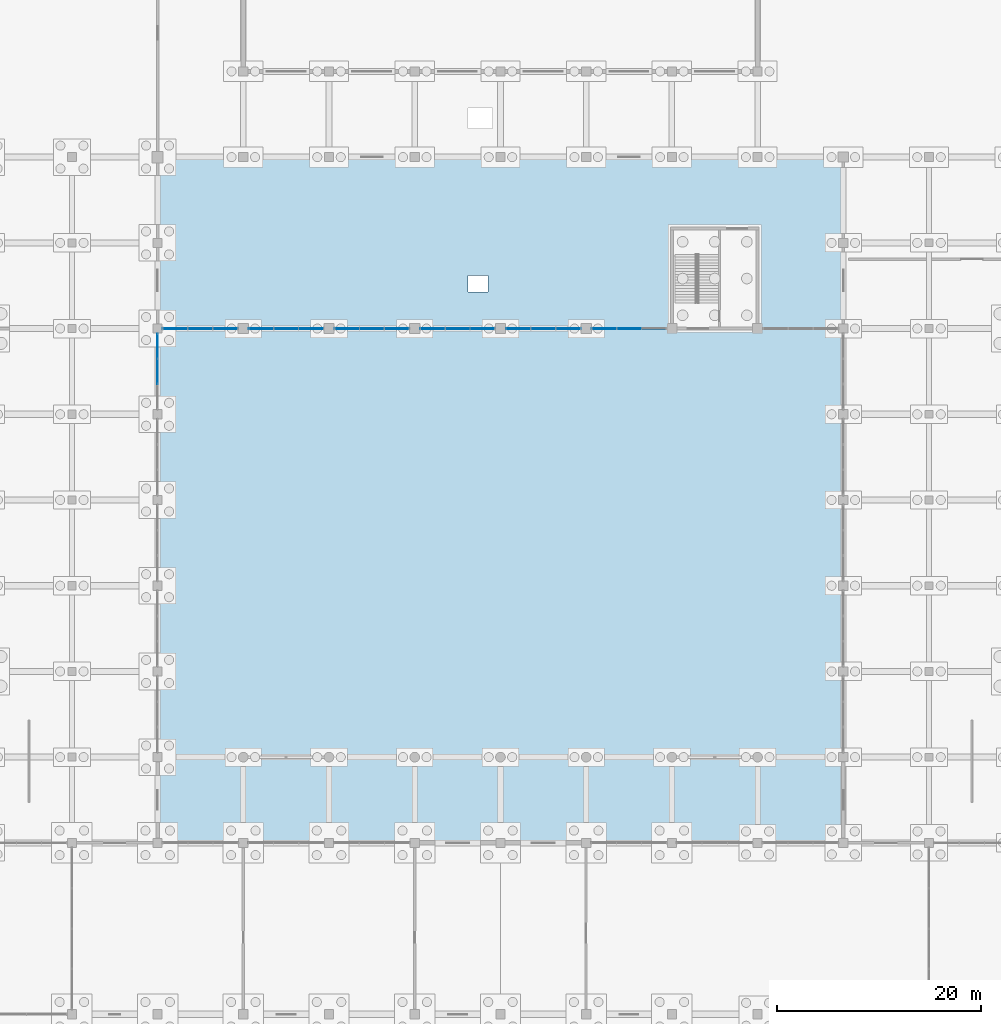
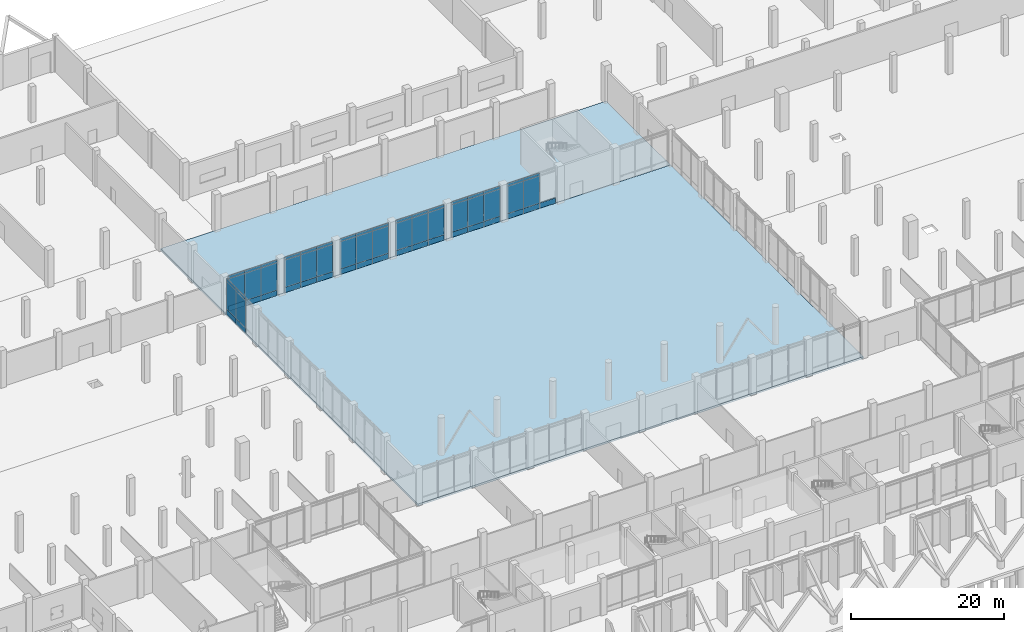
# One storey, part 44 of 72: 58 plates, 2 slabs, 7 elements without a shape of their own.
"""IFC4 building model written with IfcOpenShell, lengths in metres."""

from ifc_helpers import new_model, si_unit, direction, frame, frame_2d, origin, place, context, subcontext, project, spatial, polyline, rectangle, outline, extrude, material, layer, layer_set, type_object, element, aggregate, save


model = new_model("IFC4")

# Units and contexts
model_context = context("Model", 3, precision=1e-05, world=origin(), true_north=direction((0.0, 1.0)))
body_context = subcontext(model_context, "Body", "Model", "MODEL_VIEW")
ifc_project = project(units=[si_unit("LENGTHUNIT", "METRE"), si_unit("AREAUNIT", "SQUARE_METRE"), si_unit("VOLUMEUNIT", "CUBIC_METRE"), si_unit("PLANEANGLEUNIT", "RADIAN"), si_unit("MASSUNIT", "GRAM", prefix="KILO")], contexts=[model_context])

# Site, building, storey
site_placement = place(None, origin())
site = spatial("IfcSite", under=ifc_project, at=site_placement, CompositionType="ELEMENT")
building_placement = place(site_placement, origin())
building = spatial("IfcBuilding", under=site, at=building_placement, Name="Qawsi Khor Wholesale Market", CompositionType="ELEMENT")
storey_placement = place(building_placement, origin())
storey = spatial("IfcBuildingStorey", under=building, at=storey_placement, Name="L00", CompositionType="ELEMENT", Elevation=0.0)

# Slabs
ifc_material_1 = material(Name="Concrete C45/55", Category="concrete")
ifc_layer_1 = layer(ifc_material_1, 0.31005859375, Name="Concrete C45/55")
ifc_layer_set_1 = layer_set([ifc_layer_1], Name="Concrete C45/55")
slab_type_1 = type_object("IfcSlabType", Name="Arcade & Forecourt Structural Deck 310 C45/55", PredefinedType="BASESLAB", material=ifc_layer_set_1)
slab_1_placement = place(storey_placement, frame((0.0, 0.0, -0.31005859375)))
element("IfcSlab", 1, at=slab_1_placement, inside=storey, type_object=slab_type_1, Name="SLB-L00-COURT", PredefinedType="BASESLAB", context=body_context, shape_type="SweptSolid", body=[
    extrude(outline(polyline([(75.60009765625, 42.0), (142.800048828125, 42.0), (142.800048828125, 92.39990234375), (75.60009765625, 92.39990234375), (75.60009765625, 42.0)])), origin(), (0.0, 0.0, 1.0), 0.31005859375),
])
ifc_layer_2 = layer(ifc_material_1, 0.360107421875, Name="Concrete C45/55")
ifc_layer_set_2 = layer_set([ifc_layer_2], Name="Concrete C45/55")
slab_type_2 = type_object("IfcSlabType", Name="Ground-Bearing Slab 360 C45/55", PredefinedType="BASESLAB", material=ifc_layer_set_2)
slab_2_placement = place(storey_placement, frame((0.0, 0.0, -0.360107421875)))
element("IfcSlab", 2, at=slab_2_placement, inside=storey, type_object=slab_type_2, Name="SLB-L00-AUC-MAIN", PredefinedType="BASESLAB", context=body_context, shape_type="SweptSolid", body=[
    extrude(outline(polyline([(75.60009765625, 109.199951171875), (142.800048828125, 109.199951171875), (142.800048828125, 92.39990234375), (75.60009765625, 92.39990234375), (75.60009765625, 109.199951171875)]), holes=[polyline([(108.0, 96.0), (108.0, 97.60009765625), (106.0, 97.60009765625), (106.0, 96.0), (108.0, 96.0)])]), origin(), (0.0, 0.0, 1.0), 0.360107421875),
])

# Curtain wall, plates
ifc_material_2 = material(Name="Aluminium Anodised Bronze", Category="aluminium")
ifc_layer_3 = layer(ifc_material_2, 0.199951171875, Name="Aluminium Anodised Bronze")
ifc_layer_set_3 = layer_set([ifc_layer_3], Name="Aluminium Anodised Bronze")
curtain_wall_type_1 = type_object("IfcCurtainWallType", Name="Trading Hall North-Light Curtain Wall CW-03", PredefinedType="NOTDEFINED", material=ifc_layer_set_3)
curtain_wall_1_placement = place(storey_placement, origin())
curtain_wall_1 = element("IfcCurtainWall", 3, at=curtain_wall_1_placement, inside=storey, type_object=curtain_wall_type_1, Name="Curtain wall CW-CW-03-L00-092", PredefinedType="NOTDEFINED")
ifc_material_3 = material(Name="Anodised Aluminium Spandrel", Category="aluminium")
ifc_layer_4 = layer(ifc_material_3, 0.074951171875, Name="Anodised Aluminium Spandrel")
ifc_layer_set_4 = layer_set([ifc_layer_4], Name="Anodised Aluminium Spandrel")
plate_type_1 = type_object("IfcPlateType", Name="Insulated Spandrel Panel CW-03 75mm", PredefinedType="CURTAIN_PANEL", material=ifc_layer_set_4)
plate_1_placement = place(storey_placement, frame((75.60009765625, 86.9658203125, 0.0048828125), z_axis=(0.0, 0.0, 1.0), x_axis=(0.0, 1.0, 0.0)))
plate_1 = element("IfcPlate", 4, at=plate_1_placement, type_object=plate_type_1, Name="Curtain panel CW-CW-03-L00-092-P0_01", PredefinedType="CURTAIN_PANEL", context=body_context, shape_type="SweptSolid", body=[
    extrude(rectangle(XDim=2.46826171875, YDim=0.074951171875, at=frame_2d((1.234130859375, 0.0))), origin(), (0.0, 0.0, 1.0), 0.840087890625),
])
plate_2_placement = place(storey_placement, frame((75.60009765625, 89.43408203125, 0.0048828125), z_axis=(0.0, 0.0, 1.0), x_axis=(0.0, 1.0, 0.0)))
plate_2 = element("IfcPlate", 5, at=plate_2_placement, type_object=plate_type_1, Name="Curtain panel CW-CW-03-L00-092-P0_02", PredefinedType="CURTAIN_PANEL", context=body_context, shape_type="SweptSolid", body=[
    extrude(rectangle(XDim=2.468505859375, YDim=0.074951171875, at=frame_2d((1.234375, 0.0))), origin(), (0.0, 0.0, 1.0), 0.840087890625),
])

ifc_layer_5 = layer(ifc_material_2, 0.219970703125, Name="Aluminium Anodised Bronze")
ifc_layer_set_5 = layer_set([ifc_layer_5], Name="Aluminium Anodised Bronze")
curtain_wall_type_2 = type_object("IfcCurtainWallType", Name="Auction Clerestory Curtain Wall CW-04", PredefinedType="NOTDEFINED", material=ifc_layer_set_5)
curtain_wall_2_placement = place(storey_placement, origin())
curtain_wall_2 = element("IfcCurtainWall", 6, at=curtain_wall_2_placement, inside=storey, type_object=curtain_wall_type_2, Name="Curtain wall CW-CW-04-L00-097", PredefinedType="NOTDEFINED")
ifc_layer_6 = layer(ifc_material_3, 0.0849609375, Name="Anodised Aluminium Spandrel")
ifc_layer_set_6 = layer_set([ifc_layer_6], Name="Anodised Aluminium Spandrel")
plate_type_2 = type_object("IfcPlateType", Name="Insulated Spandrel Panel CW-04 85mm", PredefinedType="CURTAIN_PANEL", material=ifc_layer_set_6)
plate_3_placement = place(storey_placement, frame((76.10009765625, 92.39990234375, 0.0048828125), z_axis=(0.0, 0.0, 1.0), x_axis=(1.0, 0.0, 0.0)))
plate_3 = element("IfcPlate", 7, at=plate_3_placement, type_object=plate_type_2, Name="Curtain panel CW-CW-04-L00-097-P0_00", PredefinedType="CURTAIN_PANEL", context=body_context, shape_type="SweptSolid", body=[
    extrude(rectangle(XDim=2.449951171875, YDim=0.0849609375, at=frame_2d((1.22509765625, 0.0))), origin(), (0.0, 0.0, 1.0), 0.840087890625),
])
plate_4_placement = place(storey_placement, frame((78.550048828125, 92.39990234375, 0.0048828125), z_axis=(0.0, 0.0, 1.0), x_axis=(1.0, 0.0, 0.0)))
plate_4 = element("IfcPlate", 8, at=plate_4_placement, type_object=plate_type_2, Name="Curtain panel CW-CW-04-L00-097-P0_01", PredefinedType="CURTAIN_PANEL", context=body_context, shape_type="SweptSolid", body=[
    extrude(rectangle(XDim=2.449951171875, YDim=0.0849609375, at=frame_2d((1.22509765625, 0.0))), origin(), (0.0, 0.0, 1.0), 0.840087890625),
])
plate_5_placement = place(storey_placement, frame((81.0, 92.39990234375, 0.0048828125), z_axis=(0.0, 0.0, 1.0), x_axis=(1.0, 0.0, 0.0)))
plate_5 = element("IfcPlate", 9, at=plate_5_placement, type_object=plate_type_2, Name="Curtain panel CW-CW-04-L00-097-P0_02", PredefinedType="CURTAIN_PANEL", context=body_context, shape_type="SweptSolid", body=[
    extrude(rectangle(XDim=2.449951171875, YDim=0.0849609375, at=frame_2d((1.22509765625, 0.0))), origin(), (0.0, 0.0, 1.0), 0.840087890625),
])

curtain_wall_3_placement = place(storey_placement, origin())
curtain_wall_3 = element("IfcCurtainWall", 10, at=curtain_wall_3_placement, inside=storey, type_object=curtain_wall_type_2, Name="Curtain wall CW-CW-04-L00-099", PredefinedType="NOTDEFINED")
plate_6_placement = place(storey_placement, frame((84.550048828125, 92.39990234375, 0.0048828125), z_axis=(0.0, 0.0, 1.0), x_axis=(1.0, 0.0, 0.0)))
plate_6 = element("IfcPlate", 11, at=plate_6_placement, type_object=plate_type_2, Name="Curtain panel CW-CW-04-L00-099-P0_00", PredefinedType="CURTAIN_PANEL", context=body_context, shape_type="SweptSolid", body=[
    extrude(rectangle(XDim=2.433349609375, YDim=0.0849609375, at=frame_2d((1.216796875, 0.0))), origin(), (0.0, 0.0, 1.0), 0.840087890625),
])
plate_7_placement = place(storey_placement, frame((86.9833984375, 92.39990234375, 0.0048828125), z_axis=(0.0, 0.0, 1.0), x_axis=(1.0, 0.0, 0.0)))
plate_7 = element("IfcPlate", 12, at=plate_7_placement, type_object=plate_type_2, Name="Curtain panel CW-CW-04-L00-099-P0_01", PredefinedType="CURTAIN_PANEL", context=body_context, shape_type="SweptSolid", body=[
    extrude(rectangle(XDim=2.433349609375, YDim=0.0849609375, at=frame_2d((1.216796875, 0.0))), origin(), (0.0, 0.0, 1.0), 0.840087890625),
])
plate_8_placement = place(storey_placement, frame((89.416748046875, 92.39990234375, 0.0048828125), z_axis=(0.0, 0.0, 1.0), x_axis=(1.0, 0.0, 0.0)))
plate_8 = element("IfcPlate", 13, at=plate_8_placement, type_object=plate_type_2, Name="Curtain panel CW-CW-04-L00-099-P0_02", PredefinedType="CURTAIN_PANEL", context=body_context, shape_type="SweptSolid", body=[
    extrude(rectangle(XDim=2.433349609375, YDim=0.0849609375, at=frame_2d((1.216796875, 0.0))), origin(), (0.0, 0.0, 1.0), 0.840087890625),
])

curtain_wall_4_placement = place(storey_placement, origin())
curtain_wall_4 = element("IfcCurtainWall", 14, at=curtain_wall_4_placement, inside=storey, type_object=curtain_wall_type_2, Name="Curtain wall CW-CW-04-L00-102", PredefinedType="NOTDEFINED")
plate_9_placement = place(storey_placement, frame((92.949951171875, 92.39990234375, 0.0048828125), z_axis=(0.0, 0.0, 1.0), x_axis=(1.0, 0.0, 0.0)))
plate_9 = element("IfcPlate", 15, at=plate_9_placement, type_object=plate_type_2, Name="Curtain panel CW-CW-04-L00-102-P0_00", PredefinedType="CURTAIN_PANEL", context=body_context, shape_type="SweptSolid", body=[
    extrude(rectangle(XDim=2.433349609375, YDim=0.0849609375, at=frame_2d((1.216796875, 0.0))), origin(), (0.0, 0.0, 1.0), 0.840087890625),
])
plate_10_placement = place(storey_placement, frame((95.38330078125, 92.39990234375, 0.0048828125), z_axis=(0.0, 0.0, 1.0), x_axis=(1.0, 0.0, 0.0)))
plate_10 = element("IfcPlate", 16, at=plate_10_placement, type_object=plate_type_2, Name="Curtain panel CW-CW-04-L00-102-P0_01", PredefinedType="CURTAIN_PANEL", context=body_context, shape_type="SweptSolid", body=[
    extrude(rectangle(XDim=2.433349609375, YDim=0.0849609375, at=frame_2d((1.216796875, 0.0))), origin(), (0.0, 0.0, 1.0), 0.840087890625),
])
plate_11_placement = place(storey_placement, frame((97.816650390625, 92.39990234375, 0.0048828125), z_axis=(0.0, 0.0, 1.0), x_axis=(1.0, 0.0, 0.0)))
plate_11 = element("IfcPlate", 17, at=plate_11_placement, type_object=plate_type_2, Name="Curtain panel CW-CW-04-L00-102-P0_02", PredefinedType="CURTAIN_PANEL", context=body_context, shape_type="SweptSolid", body=[
    extrude(rectangle(XDim=2.433349609375, YDim=0.0849609375, at=frame_2d((1.216796875, 0.0))), origin(), (0.0, 0.0, 1.0), 0.840087890625),
])

curtain_wall_5_placement = place(storey_placement, origin())
curtain_wall_5 = element("IfcCurtainWall", 18, at=curtain_wall_5_placement, inside=storey, type_object=curtain_wall_type_2, Name="Curtain wall CW-CW-04-L00-105", PredefinedType="NOTDEFINED")
plate_12_placement = place(storey_placement, frame((101.35009765625, 92.39990234375, 0.0048828125), z_axis=(0.0, 0.0, 1.0), x_axis=(1.0, 0.0, 0.0)))
plate_12 = element("IfcPlate", 19, at=plate_12_placement, type_object=plate_type_2, Name="Curtain panel CW-CW-04-L00-105-P0_00", PredefinedType="CURTAIN_PANEL", context=body_context, shape_type="SweptSolid", body=[
    extrude(rectangle(XDim=2.43310546875, YDim=0.0849609375, at=frame_2d((1.216552734375, 0.0))), origin(), (0.0, 0.0, 1.0), 0.840087890625),
])
plate_13_placement = place(storey_placement, frame((103.783203125, 92.39990234375, 0.0048828125), z_axis=(0.0, 0.0, 1.0), x_axis=(1.0, 0.0, 0.0)))
plate_13 = element("IfcPlate", 20, at=plate_13_placement, type_object=plate_type_2, Name="Curtain panel CW-CW-04-L00-105-P0_01", PredefinedType="CURTAIN_PANEL", context=body_context, shape_type="SweptSolid", body=[
    extrude(rectangle(XDim=2.43359375, YDim=0.0849609375, at=frame_2d((1.216796875, 0.0))), origin(), (0.0, 0.0, 1.0), 0.840087890625),
])
plate_14_placement = place(storey_placement, frame((106.216796875, 92.39990234375, 0.0048828125), z_axis=(0.0, 0.0, 1.0), x_axis=(1.0, 0.0, 0.0)))
plate_14 = element("IfcPlate", 21, at=plate_14_placement, type_object=plate_type_2, Name="Curtain panel CW-CW-04-L00-105-P0_02", PredefinedType="CURTAIN_PANEL", context=body_context, shape_type="SweptSolid", body=[
    extrude(rectangle(XDim=2.43310546875, YDim=0.0849609375, at=frame_2d((1.216552734375, 0.0))), origin(), (0.0, 0.0, 1.0), 0.840087890625),
])

curtain_wall_6_placement = place(storey_placement, origin())
curtain_wall_6 = element("IfcCurtainWall", 22, at=curtain_wall_6_placement, inside=storey, type_object=curtain_wall_type_2, Name="Curtain wall CW-CW-04-L00-108", PredefinedType="NOTDEFINED")
plate_15_placement = place(storey_placement, frame((109.75, 92.39990234375, 0.0048828125), z_axis=(0.0, 0.0, 1.0), x_axis=(1.0, 0.0, 0.0)))
plate_15 = element("IfcPlate", 23, at=plate_15_placement, type_object=plate_type_2, Name="Curtain panel CW-CW-04-L00-108-P0_00", PredefinedType="CURTAIN_PANEL", context=body_context, shape_type="SweptSolid", body=[
    extrude(rectangle(XDim=2.433349609375, YDim=0.0849609375, at=frame_2d((1.216796875, 0.0))), origin(), (0.0, 0.0, 1.0), 0.840087890625),
])
plate_16_placement = place(storey_placement, frame((112.183349609375, 92.39990234375, 0.0048828125), z_axis=(0.0, 0.0, 1.0), x_axis=(1.0, 0.0, 0.0)))
plate_16 = element("IfcPlate", 24, at=plate_16_placement, type_object=plate_type_2, Name="Curtain panel CW-CW-04-L00-108-P0_01", PredefinedType="CURTAIN_PANEL", context=body_context, shape_type="SweptSolid", body=[
    extrude(rectangle(XDim=2.433349609375, YDim=0.0849609375, at=frame_2d((1.216796875, 0.0))), origin(), (0.0, 0.0, 1.0), 0.840087890625),
])
plate_17_placement = place(storey_placement, frame((114.61669921875, 92.39990234375, 0.0048828125), z_axis=(0.0, 0.0, 1.0), x_axis=(1.0, 0.0, 0.0)))
plate_17 = element("IfcPlate", 25, at=plate_17_placement, type_object=plate_type_2, Name="Curtain panel CW-CW-04-L00-108-P0_02", PredefinedType="CURTAIN_PANEL", context=body_context, shape_type="SweptSolid", body=[
    extrude(rectangle(XDim=2.433349609375, YDim=0.0849609375, at=frame_2d((1.216796875, 0.0))), origin(), (0.0, 0.0, 1.0), 0.840087890625),
])

curtain_wall_7_placement = place(storey_placement, origin())
curtain_wall_7 = element("IfcCurtainWall", 26, at=curtain_wall_7_placement, inside=storey, type_object=curtain_wall_type_2, Name="Curtain wall CW-CW-04-L00-111", PredefinedType="NOTDEFINED")
plate_18_placement = place(storey_placement, frame((118.14990234375, 92.39990234375, 0.0048828125), z_axis=(0.0, 0.0, 1.0), x_axis=(1.0, 0.0, 0.0)))
plate_18 = element("IfcPlate", 27, at=plate_18_placement, type_object=plate_type_2, Name="Curtain panel CW-CW-04-L00-111-P0_00", PredefinedType="CURTAIN_PANEL", context=body_context, shape_type="SweptSolid", body=[
    extrude(rectangle(XDim=2.433349609375, YDim=0.0849609375, at=frame_2d((1.216796875, 0.0))), origin(), (0.0, 0.0, 1.0), 0.840087890625),
])
plate_19_placement = place(storey_placement, frame((120.583251953125, 92.39990234375, 0.0048828125), z_axis=(0.0, 0.0, 1.0), x_axis=(1.0, 0.0, 0.0)))
plate_19 = element("IfcPlate", 28, at=plate_19_placement, type_object=plate_type_2, Name="Curtain panel CW-CW-04-L00-111-P0_01", PredefinedType="CURTAIN_PANEL", context=body_context, shape_type="SweptSolid", body=[
    extrude(rectangle(XDim=2.433349609375, YDim=0.0849609375, at=frame_2d((1.216796875, 0.0))), origin(), (0.0, 0.0, 1.0), 0.840087890625),
])
plate_20_placement = place(storey_placement, frame((123.0166015625, 92.39990234375, 0.0048828125), z_axis=(0.0, 0.0, 1.0), x_axis=(1.0, 0.0, 0.0)))
plate_20 = element("IfcPlate", 29, at=plate_20_placement, type_object=plate_type_2, Name="Curtain panel CW-CW-04-L00-111-P0_02", PredefinedType="CURTAIN_PANEL", context=body_context, shape_type="SweptSolid", body=[
    extrude(rectangle(XDim=2.433349609375, YDim=0.0849609375, at=frame_2d((1.216796875, 0.0))), origin(), (0.0, 0.0, 1.0), 0.840087890625),
])

# Plate
ifc_material_4 = material(Name="Tempered Low-E Solar Glass", Category="glass")
ifc_layer_7 = layer(ifc_material_4, 0.0419921875, Name="Tempered Low-E Solar Glass")
ifc_layer_set_7 = layer_set([ifc_layer_7], Name="Tempered Low-E Solar Glass")
plate_type_3 = type_object("IfcPlateType", Name="Solar Double-Glazed Unit CW-03 42mm", PredefinedType="CURTAIN_PANEL", material=ifc_layer_set_7)
plate_21_placement = place(storey_placement, frame((75.60009765625, 86.9658203125, 0.85498046875), z_axis=(0.0, 0.0, 1.0), x_axis=(0.0, 1.0, 0.0)))
plate_21 = element("IfcPlate", 30, at=plate_21_placement, type_object=plate_type_3, Name="Curtain panel CW-CW-03-L00-092-P1_01", PredefinedType="CURTAIN_PANEL", context=body_context, shape_type="SweptSolid", body=[
    extrude(rectangle(XDim=2.46826171875, YDim=0.0419921875, at=frame_2d((1.234130859375, 0.0))), origin(), (0.0, 0.0, 1.0), 4.419921875),
])

plate_22_placement = place(storey_placement, frame((75.60009765625, 89.43408203125, 0.85498046875), z_axis=(0.0, 0.0, 1.0), x_axis=(0.0, 1.0, 0.0)))
plate_22 = element("IfcPlate", 31, at=plate_22_placement, type_object=plate_type_3, Name="Curtain panel CW-CW-03-L00-092-P1_02", PredefinedType="CURTAIN_PANEL", context=body_context, shape_type="SweptSolid", body=[
    extrude(rectangle(XDim=2.468505859375, YDim=0.0419921875, at=frame_2d((1.234375, 0.0))), origin(), (0.0, 0.0, 1.0), 4.419921875),
])

plate_23_placement = place(storey_placement, frame((75.60009765625, 86.9658203125, 5.284912109375), z_axis=(0.0, 0.0, 1.0), x_axis=(0.0, 1.0, 0.0)))
plate_23 = element("IfcPlate", 32, at=plate_23_placement, type_object=plate_type_3, Name="Curtain panel CW-CW-03-L00-092-P2_01", PredefinedType="CURTAIN_PANEL", context=body_context, shape_type="SweptSolid", body=[
    extrude(rectangle(XDim=2.46826171875, YDim=0.0419921875, at=frame_2d((1.234130859375, 0.0))), origin(), (0.0, 0.0, 1.0), 0.440185546875),
])

plate_24_placement = place(storey_placement, frame((75.60009765625, 89.43408203125, 5.284912109375), z_axis=(0.0, 0.0, 1.0), x_axis=(0.0, 1.0, 0.0)))
plate_24 = element("IfcPlate", 33, at=plate_24_placement, type_object=plate_type_3, Name="Curtain panel CW-CW-03-L00-092-P2_02", PredefinedType="CURTAIN_PANEL", context=body_context, shape_type="SweptSolid", body=[
    extrude(rectangle(XDim=2.468505859375, YDim=0.0419921875, at=frame_2d((1.234375, 0.0))), origin(), (0.0, 0.0, 1.0), 0.440185546875),
])

aggregate(curtain_wall_1, [plate_1, plate_2, plate_21, plate_22, plate_23, plate_24])

ifc_layer_8 = layer(ifc_material_4, 0.050048828125, Name="Tempered Low-E Solar Glass")
ifc_layer_set_8 = layer_set([ifc_layer_8], Name="Tempered Low-E Solar Glass")
plate_type_4 = type_object("IfcPlateType", Name="Solar Double-Glazed Unit CW-04 50mm", PredefinedType="CURTAIN_PANEL", material=ifc_layer_set_8)
plate_25_placement = place(storey_placement, frame((76.10009765625, 92.39990234375, 0.85498046875), z_axis=(0.0, 0.0, 1.0), x_axis=(1.0, 0.0, 0.0)))
plate_25 = element("IfcPlate", 34, at=plate_25_placement, type_object=plate_type_4, Name="Curtain panel CW-CW-04-L00-097-P1_00", PredefinedType="CURTAIN_PANEL", context=body_context, shape_type="SweptSolid", body=[
    extrude(rectangle(XDim=2.449951171875, YDim=0.050048828125, at=frame_2d((1.22509765625, 0.0))), origin(), (0.0, 0.0, 1.0), 4.360107421875),
])

plate_26_placement = place(storey_placement, frame((78.550048828125, 92.39990234375, 0.85498046875), z_axis=(0.0, 0.0, 1.0), x_axis=(1.0, 0.0, 0.0)))
plate_26 = element("IfcPlate", 35, at=plate_26_placement, type_object=plate_type_4, Name="Curtain panel CW-CW-04-L00-097-P1_01", PredefinedType="CURTAIN_PANEL", context=body_context, shape_type="SweptSolid", body=[
    extrude(rectangle(XDim=2.449951171875, YDim=0.050048828125, at=frame_2d((1.22509765625, 0.0))), origin(), (0.0, 0.0, 1.0), 4.360107421875),
])

plate_27_placement = place(storey_placement, frame((81.0, 92.39990234375, 0.85498046875), z_axis=(0.0, 0.0, 1.0), x_axis=(1.0, 0.0, 0.0)))
plate_27 = element("IfcPlate", 36, at=plate_27_placement, type_object=plate_type_4, Name="Curtain panel CW-CW-04-L00-097-P1_02", PredefinedType="CURTAIN_PANEL", context=body_context, shape_type="SweptSolid", body=[
    extrude(rectangle(XDim=2.449951171875, YDim=0.050048828125, at=frame_2d((1.22509765625, 0.0))), origin(), (0.0, 0.0, 1.0), 4.360107421875),
])

plate_28_placement = place(storey_placement, frame((76.10009765625, 92.39990234375, 5.22509765625), z_axis=(0.0, 0.0, 1.0), x_axis=(1.0, 0.0, 0.0)))
plate_28 = element("IfcPlate", 37, at=plate_28_placement, type_object=plate_type_4, Name="Curtain panel CW-CW-04-L00-097-P2_00", PredefinedType="CURTAIN_PANEL", context=body_context, shape_type="SweptSolid", body=[
    extrude(rectangle(XDim=2.449951171875, YDim=0.050048828125, at=frame_2d((1.22509765625, 0.0))), origin(), (0.0, 0.0, 1.0), 0.43994140625),
])

plate_29_placement = place(storey_placement, frame((78.550048828125, 92.39990234375, 5.22509765625), z_axis=(0.0, 0.0, 1.0), x_axis=(1.0, 0.0, 0.0)))
plate_29 = element("IfcPlate", 38, at=plate_29_placement, type_object=plate_type_4, Name="Curtain panel CW-CW-04-L00-097-P2_01", PredefinedType="CURTAIN_PANEL", context=body_context, shape_type="SweptSolid", body=[
    extrude(rectangle(XDim=2.449951171875, YDim=0.050048828125, at=frame_2d((1.22509765625, 0.0))), origin(), (0.0, 0.0, 1.0), 0.43994140625),
])

plate_30_placement = place(storey_placement, frame((81.0, 92.39990234375, 5.22509765625), z_axis=(0.0, 0.0, 1.0), x_axis=(1.0, 0.0, 0.0)))
plate_30 = element("IfcPlate", 39, at=plate_30_placement, type_object=plate_type_4, Name="Curtain panel CW-CW-04-L00-097-P2_02", PredefinedType="CURTAIN_PANEL", context=body_context, shape_type="SweptSolid", body=[
    extrude(rectangle(XDim=2.449951171875, YDim=0.050048828125, at=frame_2d((1.22509765625, 0.0))), origin(), (0.0, 0.0, 1.0), 0.43994140625),
])

aggregate(curtain_wall_2, [plate_3, plate_4, plate_5, plate_25, plate_26, plate_27, plate_28, plate_29, plate_30])

plate_31_placement = place(storey_placement, frame((84.550048828125, 92.39990234375, 0.85498046875), z_axis=(0.0, 0.0, 1.0), x_axis=(1.0, 0.0, 0.0)))
plate_31 = element("IfcPlate", 40, at=plate_31_placement, type_object=plate_type_4, Name="Curtain panel CW-CW-04-L00-099-P1_00", PredefinedType="CURTAIN_PANEL", context=body_context, shape_type="SweptSolid", body=[
    extrude(rectangle(XDim=2.433349609375, YDim=0.050048828125, at=frame_2d((1.216796875, 0.0))), origin(), (0.0, 0.0, 1.0), 4.360107421875),
])

plate_32_placement = place(storey_placement, frame((86.9833984375, 92.39990234375, 0.85498046875), z_axis=(0.0, 0.0, 1.0), x_axis=(1.0, 0.0, 0.0)))
plate_32 = element("IfcPlate", 41, at=plate_32_placement, type_object=plate_type_4, Name="Curtain panel CW-CW-04-L00-099-P1_01", PredefinedType="CURTAIN_PANEL", context=body_context, shape_type="SweptSolid", body=[
    extrude(rectangle(XDim=2.433349609375, YDim=0.050048828125, at=frame_2d((1.216796875, 0.0))), origin(), (0.0, 0.0, 1.0), 4.360107421875),
])

plate_33_placement = place(storey_placement, frame((89.416748046875, 92.39990234375, 0.85498046875), z_axis=(0.0, 0.0, 1.0), x_axis=(1.0, 0.0, 0.0)))
plate_33 = element("IfcPlate", 42, at=plate_33_placement, type_object=plate_type_4, Name="Curtain panel CW-CW-04-L00-099-P1_02", PredefinedType="CURTAIN_PANEL", context=body_context, shape_type="SweptSolid", body=[
    extrude(rectangle(XDim=2.433349609375, YDim=0.050048828125, at=frame_2d((1.216796875, 0.0))), origin(), (0.0, 0.0, 1.0), 4.360107421875),
])

plate_34_placement = place(storey_placement, frame((84.550048828125, 92.39990234375, 5.22509765625), z_axis=(0.0, 0.0, 1.0), x_axis=(1.0, 0.0, 0.0)))
plate_34 = element("IfcPlate", 43, at=plate_34_placement, type_object=plate_type_4, Name="Curtain panel CW-CW-04-L00-099-P2_00", PredefinedType="CURTAIN_PANEL", context=body_context, shape_type="SweptSolid", body=[
    extrude(rectangle(XDim=2.433349609375, YDim=0.050048828125, at=frame_2d((1.216796875, 0.0))), origin(), (0.0, 0.0, 1.0), 0.43994140625),
])

plate_35_placement = place(storey_placement, frame((86.9833984375, 92.39990234375, 5.22509765625), z_axis=(0.0, 0.0, 1.0), x_axis=(1.0, 0.0, 0.0)))
plate_35 = element("IfcPlate", 44, at=plate_35_placement, type_object=plate_type_4, Name="Curtain panel CW-CW-04-L00-099-P2_01", PredefinedType="CURTAIN_PANEL", context=body_context, shape_type="SweptSolid", body=[
    extrude(rectangle(XDim=2.433349609375, YDim=0.050048828125, at=frame_2d((1.216796875, 0.0))), origin(), (0.0, 0.0, 1.0), 0.43994140625),
])

plate_36_placement = place(storey_placement, frame((89.416748046875, 92.39990234375, 5.22509765625), z_axis=(0.0, 0.0, 1.0), x_axis=(1.0, 0.0, 0.0)))
plate_36 = element("IfcPlate", 45, at=plate_36_placement, type_object=plate_type_4, Name="Curtain panel CW-CW-04-L00-099-P2_02", PredefinedType="CURTAIN_PANEL", context=body_context, shape_type="SweptSolid", body=[
    extrude(rectangle(XDim=2.433349609375, YDim=0.050048828125, at=frame_2d((1.216796875, 0.0))), origin(), (0.0, 0.0, 1.0), 0.43994140625),
])

aggregate(curtain_wall_3, [plate_6, plate_7, plate_8, plate_31, plate_32, plate_33, plate_34, plate_35, plate_36])

plate_37_placement = place(storey_placement, frame((92.949951171875, 92.39990234375, 0.85498046875), z_axis=(0.0, 0.0, 1.0), x_axis=(1.0, 0.0, 0.0)))
plate_37 = element("IfcPlate", 46, at=plate_37_placement, type_object=plate_type_4, Name="Curtain panel CW-CW-04-L00-102-P1_00", PredefinedType="CURTAIN_PANEL", context=body_context, shape_type="SweptSolid", body=[
    extrude(rectangle(XDim=2.433349609375, YDim=0.050048828125, at=frame_2d((1.216796875, 0.0))), origin(), (0.0, 0.0, 1.0), 4.360107421875),
])

plate_38_placement = place(storey_placement, frame((95.38330078125, 92.39990234375, 0.85498046875), z_axis=(0.0, 0.0, 1.0), x_axis=(1.0, 0.0, 0.0)))
plate_38 = element("IfcPlate", 47, at=plate_38_placement, type_object=plate_type_4, Name="Curtain panel CW-CW-04-L00-102-P1_01", PredefinedType="CURTAIN_PANEL", context=body_context, shape_type="SweptSolid", body=[
    extrude(rectangle(XDim=2.433349609375, YDim=0.050048828125, at=frame_2d((1.216796875, 0.0))), origin(), (0.0, 0.0, 1.0), 4.360107421875),
])

plate_39_placement = place(storey_placement, frame((97.816650390625, 92.39990234375, 0.85498046875), z_axis=(0.0, 0.0, 1.0), x_axis=(1.0, 0.0, 0.0)))
plate_39 = element("IfcPlate", 48, at=plate_39_placement, type_object=plate_type_4, Name="Curtain panel CW-CW-04-L00-102-P1_02", PredefinedType="CURTAIN_PANEL", context=body_context, shape_type="SweptSolid", body=[
    extrude(rectangle(XDim=2.433349609375, YDim=0.050048828125, at=frame_2d((1.216796875, 0.0))), origin(), (0.0, 0.0, 1.0), 4.360107421875),
])

plate_40_placement = place(storey_placement, frame((92.949951171875, 92.39990234375, 5.22509765625), z_axis=(0.0, 0.0, 1.0), x_axis=(1.0, 0.0, 0.0)))
plate_40 = element("IfcPlate", 49, at=plate_40_placement, type_object=plate_type_4, Name="Curtain panel CW-CW-04-L00-102-P2_00", PredefinedType="CURTAIN_PANEL", context=body_context, shape_type="SweptSolid", body=[
    extrude(rectangle(XDim=2.433349609375, YDim=0.050048828125, at=frame_2d((1.216796875, 0.0))), origin(), (0.0, 0.0, 1.0), 0.43994140625),
])

plate_41_placement = place(storey_placement, frame((95.38330078125, 92.39990234375, 5.22509765625), z_axis=(0.0, 0.0, 1.0), x_axis=(1.0, 0.0, 0.0)))
plate_41 = element("IfcPlate", 50, at=plate_41_placement, type_object=plate_type_4, Name="Curtain panel CW-CW-04-L00-102-P2_01", PredefinedType="CURTAIN_PANEL", context=body_context, shape_type="SweptSolid", body=[
    extrude(rectangle(XDim=2.433349609375, YDim=0.050048828125, at=frame_2d((1.216796875, 0.0))), origin(), (0.0, 0.0, 1.0), 0.43994140625),
])

plate_42_placement = place(storey_placement, frame((97.816650390625, 92.39990234375, 5.22509765625), z_axis=(0.0, 0.0, 1.0), x_axis=(1.0, 0.0, 0.0)))
plate_42 = element("IfcPlate", 51, at=plate_42_placement, type_object=plate_type_4, Name="Curtain panel CW-CW-04-L00-102-P2_02", PredefinedType="CURTAIN_PANEL", context=body_context, shape_type="SweptSolid", body=[
    extrude(rectangle(XDim=2.433349609375, YDim=0.050048828125, at=frame_2d((1.216796875, 0.0))), origin(), (0.0, 0.0, 1.0), 0.43994140625),
])

aggregate(curtain_wall_4, [plate_9, plate_10, plate_11, plate_37, plate_38, plate_39, plate_40, plate_41, plate_42])

plate_43_placement = place(storey_placement, frame((101.35009765625, 92.39990234375, 0.85498046875), z_axis=(0.0, 0.0, 1.0), x_axis=(1.0, 0.0, 0.0)))
plate_43 = element("IfcPlate", 52, at=plate_43_placement, type_object=plate_type_4, Name="Curtain panel CW-CW-04-L00-105-P1_00", PredefinedType="CURTAIN_PANEL", context=body_context, shape_type="SweptSolid", body=[
    extrude(rectangle(XDim=2.43310546875, YDim=0.050048828125, at=frame_2d((1.216552734375, 0.0))), origin(), (0.0, 0.0, 1.0), 4.360107421875),
])

plate_44_placement = place(storey_placement, frame((103.783203125, 92.39990234375, 0.85498046875), z_axis=(0.0, 0.0, 1.0), x_axis=(1.0, 0.0, 0.0)))
plate_44 = element("IfcPlate", 53, at=plate_44_placement, type_object=plate_type_4, Name="Curtain panel CW-CW-04-L00-105-P1_01", PredefinedType="CURTAIN_PANEL", context=body_context, shape_type="SweptSolid", body=[
    extrude(rectangle(XDim=2.43359375, YDim=0.050048828125, at=frame_2d((1.216796875, 0.0))), origin(), (0.0, 0.0, 1.0), 4.360107421875),
])

plate_45_placement = place(storey_placement, frame((106.216796875, 92.39990234375, 0.85498046875), z_axis=(0.0, 0.0, 1.0), x_axis=(1.0, 0.0, 0.0)))
plate_45 = element("IfcPlate", 54, at=plate_45_placement, type_object=plate_type_4, Name="Curtain panel CW-CW-04-L00-105-P1_02", PredefinedType="CURTAIN_PANEL", context=body_context, shape_type="SweptSolid", body=[
    extrude(rectangle(XDim=2.43310546875, YDim=0.050048828125, at=frame_2d((1.216552734375, 0.0))), origin(), (0.0, 0.0, 1.0), 4.360107421875),
])

plate_46_placement = place(storey_placement, frame((101.35009765625, 92.39990234375, 5.22509765625), z_axis=(0.0, 0.0, 1.0), x_axis=(1.0, 0.0, 0.0)))
plate_46 = element("IfcPlate", 55, at=plate_46_placement, type_object=plate_type_4, Name="Curtain panel CW-CW-04-L00-105-P2_00", PredefinedType="CURTAIN_PANEL", context=body_context, shape_type="SweptSolid", body=[
    extrude(rectangle(XDim=2.43310546875, YDim=0.050048828125, at=frame_2d((1.216552734375, 0.0))), origin(), (0.0, 0.0, 1.0), 0.43994140625),
])

plate_47_placement = place(storey_placement, frame((103.783203125, 92.39990234375, 5.22509765625), z_axis=(0.0, 0.0, 1.0), x_axis=(1.0, 0.0, 0.0)))
plate_47 = element("IfcPlate", 56, at=plate_47_placement, type_object=plate_type_4, Name="Curtain panel CW-CW-04-L00-105-P2_01", PredefinedType="CURTAIN_PANEL", context=body_context, shape_type="SweptSolid", body=[
    extrude(rectangle(XDim=2.43359375, YDim=0.050048828125, at=frame_2d((1.216796875, 0.0))), origin(), (0.0, 0.0, 1.0), 0.43994140625),
])

plate_48_placement = place(storey_placement, frame((106.216796875, 92.39990234375, 5.22509765625), z_axis=(0.0, 0.0, 1.0), x_axis=(1.0, 0.0, 0.0)))
plate_48 = element("IfcPlate", 57, at=plate_48_placement, type_object=plate_type_4, Name="Curtain panel CW-CW-04-L00-105-P2_02", PredefinedType="CURTAIN_PANEL", context=body_context, shape_type="SweptSolid", body=[
    extrude(rectangle(XDim=2.43310546875, YDim=0.050048828125, at=frame_2d((1.216552734375, 0.0))), origin(), (0.0, 0.0, 1.0), 0.43994140625),
])

aggregate(curtain_wall_5, [plate_12, plate_13, plate_14, plate_43, plate_44, plate_45, plate_46, plate_47, plate_48])

plate_49_placement = place(storey_placement, frame((109.75, 92.39990234375, 0.85498046875), z_axis=(0.0, 0.0, 1.0), x_axis=(1.0, 0.0, 0.0)))
plate_49 = element("IfcPlate", 58, at=plate_49_placement, type_object=plate_type_4, Name="Curtain panel CW-CW-04-L00-108-P1_00", PredefinedType="CURTAIN_PANEL", context=body_context, shape_type="SweptSolid", body=[
    extrude(rectangle(XDim=2.433349609375, YDim=0.050048828125, at=frame_2d((1.216796875, 0.0))), origin(), (0.0, 0.0, 1.0), 4.360107421875),
])

plate_50_placement = place(storey_placement, frame((112.183349609375, 92.39990234375, 0.85498046875), z_axis=(0.0, 0.0, 1.0), x_axis=(1.0, 0.0, 0.0)))
plate_50 = element("IfcPlate", 59, at=plate_50_placement, type_object=plate_type_4, Name="Curtain panel CW-CW-04-L00-108-P1_01", PredefinedType="CURTAIN_PANEL", context=body_context, shape_type="SweptSolid", body=[
    extrude(rectangle(XDim=2.433349609375, YDim=0.050048828125, at=frame_2d((1.216796875, 0.0))), origin(), (0.0, 0.0, 1.0), 4.360107421875),
])

plate_51_placement = place(storey_placement, frame((114.61669921875, 92.39990234375, 0.85498046875), z_axis=(0.0, 0.0, 1.0), x_axis=(1.0, 0.0, 0.0)))
plate_51 = element("IfcPlate", 60, at=plate_51_placement, type_object=plate_type_4, Name="Curtain panel CW-CW-04-L00-108-P1_02", PredefinedType="CURTAIN_PANEL", context=body_context, shape_type="SweptSolid", body=[
    extrude(rectangle(XDim=2.433349609375, YDim=0.050048828125, at=frame_2d((1.216796875, 0.0))), origin(), (0.0, 0.0, 1.0), 4.360107421875),
])

plate_52_placement = place(storey_placement, frame((109.75, 92.39990234375, 5.22509765625), z_axis=(0.0, 0.0, 1.0), x_axis=(1.0, 0.0, 0.0)))
plate_52 = element("IfcPlate", 61, at=plate_52_placement, type_object=plate_type_4, Name="Curtain panel CW-CW-04-L00-108-P2_00", PredefinedType="CURTAIN_PANEL", context=body_context, shape_type="SweptSolid", body=[
    extrude(rectangle(XDim=2.433349609375, YDim=0.050048828125, at=frame_2d((1.216796875, 0.0))), origin(), (0.0, 0.0, 1.0), 0.43994140625),
])

plate_53_placement = place(storey_placement, frame((112.183349609375, 92.39990234375, 5.22509765625), z_axis=(0.0, 0.0, 1.0), x_axis=(1.0, 0.0, 0.0)))
plate_53 = element("IfcPlate", 62, at=plate_53_placement, type_object=plate_type_4, Name="Curtain panel CW-CW-04-L00-108-P2_01", PredefinedType="CURTAIN_PANEL", context=body_context, shape_type="SweptSolid", body=[
    extrude(rectangle(XDim=2.433349609375, YDim=0.050048828125, at=frame_2d((1.216796875, 0.0))), origin(), (0.0, 0.0, 1.0), 0.43994140625),
])

plate_54_placement = place(storey_placement, frame((114.61669921875, 92.39990234375, 5.22509765625), z_axis=(0.0, 0.0, 1.0), x_axis=(1.0, 0.0, 0.0)))
plate_54 = element("IfcPlate", 63, at=plate_54_placement, type_object=plate_type_4, Name="Curtain panel CW-CW-04-L00-108-P2_02", PredefinedType="CURTAIN_PANEL", context=body_context, shape_type="SweptSolid", body=[
    extrude(rectangle(XDim=2.433349609375, YDim=0.050048828125, at=frame_2d((1.216796875, 0.0))), origin(), (0.0, 0.0, 1.0), 0.43994140625),
])

aggregate(curtain_wall_6, [plate_15, plate_16, plate_17, plate_49, plate_50, plate_51, plate_52, plate_53, plate_54])

plate_55_placement = place(storey_placement, frame((118.14990234375, 92.39990234375, 0.85498046875), z_axis=(0.0, 0.0, 1.0), x_axis=(1.0, 0.0, 0.0)))
plate_55 = element("IfcPlate", 64, at=plate_55_placement, type_object=plate_type_4, Name="Curtain panel CW-CW-04-L00-111-P1_00", PredefinedType="CURTAIN_PANEL", context=body_context, shape_type="SweptSolid", body=[
    extrude(rectangle(XDim=2.433349609375, YDim=0.050048828125, at=frame_2d((1.216796875, 0.0))), origin(), (0.0, 0.0, 1.0), 4.360107421875),
])

plate_56_placement = place(storey_placement, frame((120.583251953125, 92.39990234375, 0.85498046875), z_axis=(0.0, 0.0, 1.0), x_axis=(1.0, 0.0, 0.0)))
plate_56 = element("IfcPlate", 65, at=plate_56_placement, type_object=plate_type_4, Name="Curtain panel CW-CW-04-L00-111-P1_01", PredefinedType="CURTAIN_PANEL", context=body_context, shape_type="SweptSolid", body=[
    extrude(rectangle(XDim=2.433349609375, YDim=0.050048828125, at=frame_2d((1.216796875, 0.0))), origin(), (0.0, 0.0, 1.0), 4.360107421875),
])

plate_57_placement = place(storey_placement, frame((118.14990234375, 92.39990234375, 5.22509765625), z_axis=(0.0, 0.0, 1.0), x_axis=(1.0, 0.0, 0.0)))
plate_57 = element("IfcPlate", 66, at=plate_57_placement, type_object=plate_type_4, Name="Curtain panel CW-CW-04-L00-111-P2_00", PredefinedType="CURTAIN_PANEL", context=body_context, shape_type="SweptSolid", body=[
    extrude(rectangle(XDim=2.433349609375, YDim=0.050048828125, at=frame_2d((1.216796875, 0.0))), origin(), (0.0, 0.0, 1.0), 0.43994140625),
])

plate_58_placement = place(storey_placement, frame((120.583251953125, 92.39990234375, 5.22509765625), z_axis=(0.0, 0.0, 1.0), x_axis=(1.0, 0.0, 0.0)))
plate_58 = element("IfcPlate", 67, at=plate_58_placement, type_object=plate_type_4, Name="Curtain panel CW-CW-04-L00-111-P2_01", PredefinedType="CURTAIN_PANEL", context=body_context, shape_type="SweptSolid", body=[
    extrude(rectangle(XDim=2.433349609375, YDim=0.050048828125, at=frame_2d((1.216796875, 0.0))), origin(), (0.0, 0.0, 1.0), 0.43994140625),
])

aggregate(curtain_wall_7, [plate_18, plate_19, plate_20, plate_55, plate_56, plate_57, plate_58])

save(model, "model.ifc")
